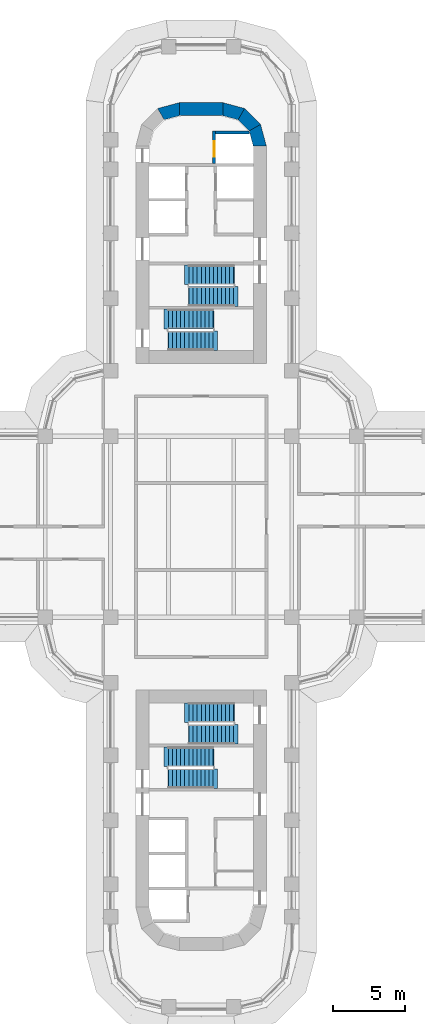
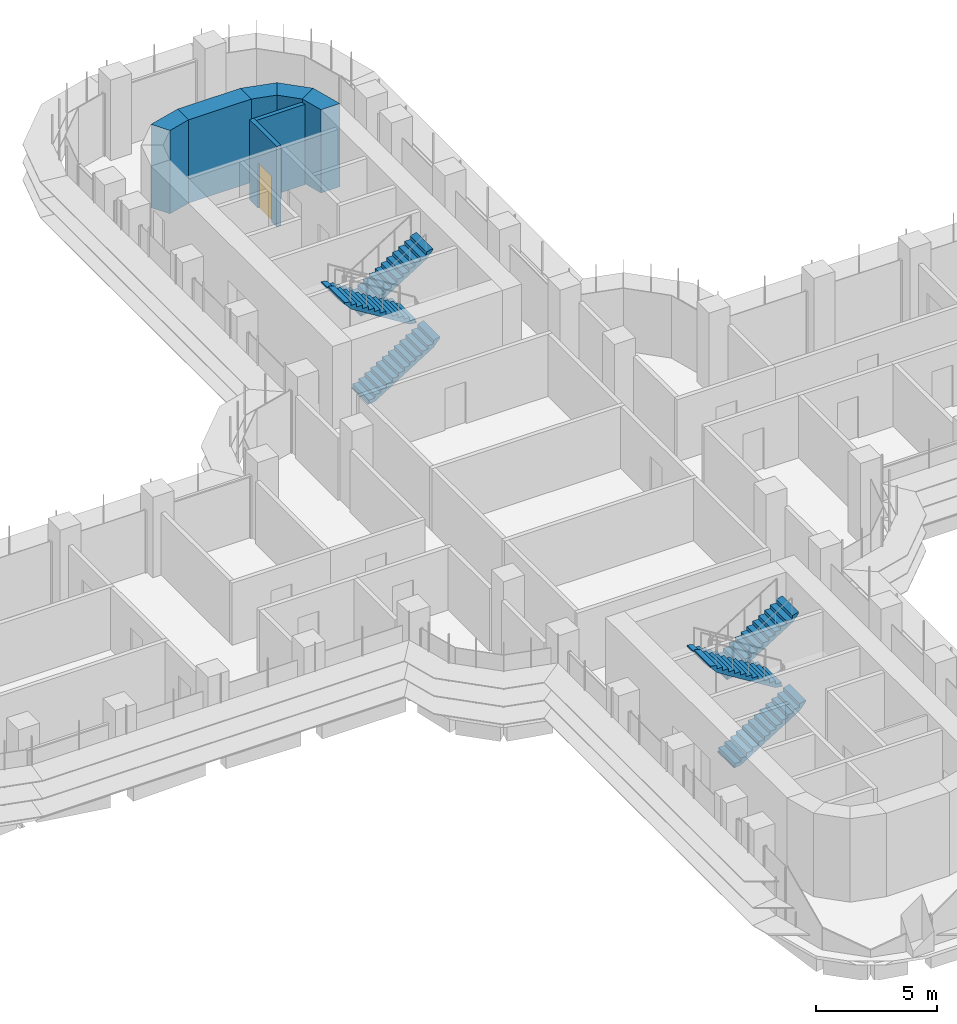
# One storey, part 19 of 23: 8 stair flights, 7 walls, 1 door, 1 opening, 4 elements without a shape of their own.
"""IFC4 building model written with IfcOpenShell, lengths in metres."""

from ifc_helpers import new_model, si_unit, direction, frame, frame_2d, origin, place, context, subcontext, project, spatial, polyline, rectangle, outline, extrude, material, layer, layer_set, type_object, element, fill, aggregate, save


model = new_model("IFC4")

# Units and contexts
model_context = context("Model", 3, precision=1e-05, world=origin(), true_north=direction((0.0, 1.0)))
body_context = subcontext(model_context, "Body", "Model", "MODEL_VIEW")
ifc_project = project(units=[si_unit("LENGTHUNIT", "METRE"), si_unit("AREAUNIT", "SQUARE_METRE"), si_unit("VOLUMEUNIT", "CUBIC_METRE"), si_unit("PLANEANGLEUNIT", "RADIAN"), si_unit("MASSUNIT", "GRAM", prefix="KILO")], contexts=[model_context])

# Site, building, storey
site_placement = place(None, origin())
site = spatial("IfcSite", under=ifc_project, at=site_placement, CompositionType="ELEMENT")
building_placement = place(site_placement, origin())
building = spatial("IfcBuilding", under=site, at=building_placement, Name="Zarbagh Exchange Tower", CompositionType="ELEMENT")
storey_placement = place(building_placement, frame((0.0, 0.0, 31.199951171875)))
storey = spatial("IfcBuildingStorey", under=building, at=storey_placement, Name="L06", CompositionType="ELEMENT", Elevation=31.199951171875)

# Walls
ifc_material_1 = material(Name="Concrete C60/75", Category="concrete")
ifc_layer_1 = layer(ifc_material_1, 0.89990234375)
ifc_layer_set_1 = layer_set([ifc_layer_1], Name="RC core corner wall 900 C60/75")
wall_type_1 = type_object("IfcWallType", Name="RC core corner wall 900 C60/75", PredefinedType="SHEAR", material=ifc_layer_set_1)
wall_1_placement = place(storey_placement, origin())
element("IfcWall", 1, at=wall_1_placement, inside=storey, type_object=wall_type_1, Name="CW2 core N corner W", PredefinedType="SHEAR", context=body_context, shape_type="SweptSolid", body=[
    extrude(outline(polyline([(-3.0, 28.84814453125), (-1.5, 29.25), (-1.5, 28.35009765625), (-2.550048828125, 28.068603515625), (-3.0, 28.84814453125)])), origin(), (0.0, 0.0, 1.0), 4.199951171875),
])
wall_2_placement = place(storey_placement, origin())
element("IfcWall", 2, at=wall_2_placement, inside=storey, type_object=wall_type_1, Name="CW2 core N corner E", PredefinedType="SHEAR", context=body_context, shape_type="SweptSolid", body=[
    extrude(outline(polyline([(4.5, 26.25), (4.09814453125, 27.75), (3.318603515625, 27.300048828125), (3.60009765625, 26.25), (4.5, 26.25)])), origin(), (0.0, 0.0, 1.0), 4.199951171875),
])
wall_3_placement = place(storey_placement, origin())
element("IfcWall", 3, at=wall_3_placement, inside=storey, type_object=wall_type_1, Name="CW2 core N corner E", PredefinedType="SHEAR", context=body_context, shape_type="SweptSolid", body=[
    extrude(outline(polyline([(4.09814453125, 27.75), (3.0, 28.84814453125), (2.550048828125, 28.068603515625), (3.318603515625, 27.300048828125), (4.09814453125, 27.75)])), origin(), (0.0, 0.0, 1.0), 4.199951171875),
])
wall_4_placement = place(storey_placement, origin())
element("IfcWall", 4, at=wall_4_placement, inside=storey, type_object=wall_type_1, Name="CW2 core N corner E", PredefinedType="SHEAR", context=body_context, shape_type="SweptSolid", body=[
    extrude(outline(polyline([(3.0, 28.84814453125), (1.5, 29.25), (1.5, 28.35009765625), (2.550048828125, 28.068603515625), (3.0, 28.84814453125)])), origin(), (0.0, 0.0, 1.0), 4.199951171875),
])
ifc_layer_2 = layer(ifc_material_1, 0.89990234375)
ifc_layer_set_2 = layer_set([ifc_layer_2], Name="RC core wall 900 C60/75")
wall_type_2 = type_object("IfcWallType", Name="RC core wall 900 C60/75", PredefinedType="SHEAR", material=ifc_layer_set_2)
wall_5_placement = place(storey_placement, frame((-1.5, 28.800048828125, 0.0), z_axis=(0.0, 0.0, 1.0), x_axis=(1.0, 0.0, 0.0)))
element("IfcWall", 5, at=wall_5_placement, inside=storey, type_object=wall_type_2, Name="CW1 core N outer end", PredefinedType="SHEAR", context=body_context, shape_type="SweptSolid", body=[
    extrude(rectangle(XDim=3.0, YDim=0.89990234375, at=frame_2d((1.5, 0.0))), origin(), (0.0, 0.0, 1.0), 4.199951171875),
])

# Wall, opening, door
ifc_material_2 = material(Name="Concrete C40/50", Category="concrete")
ifc_layer_3 = layer(ifc_material_2, 0.199951171875)
ifc_layer_set_3 = layer_set([ifc_layer_3], Name="Stair enclosure wall 200 mm RC C40/50")
wall_type_3 = type_object("IfcWallType", Name="Stair enclosure wall 200 mm RC C40/50", PredefinedType="SHEAR", material=ifc_layer_set_3)
wall_6_placement = place(storey_placement, frame((0.89990234375, 27.300048828125, 0.0), z_axis=(0.0, 0.0, 1.0), x_axis=(0.0, -1.0, 0.0)))
wall_6 = element("IfcWall", 6, at=wall_6_placement, inside=storey, type_object=wall_type_3, Name="North core lift shaft wall FFL", PredefinedType="SHEAR", context=body_context, shape_type="SweptSolid", body=[
    extrude(rectangle(XDim=2.25, YDim=0.199951171875, at=frame_2d((1.125, 0.0))), origin(), (0.0, 0.0, 1.0), 4.050048828125),
])
opening_placement = place(wall_6_placement, frame((0.699951171875, 0.0, 0.0)))
opening = element("IfcOpeningElement", 7, at=opening_placement, cuts=wall_6, Name="Opening LD-1100", PredefinedType="OPENING", context=body_context, shape_type="SweptSolid", body=[
    extrude(rectangle(XDim=1.10009765625, YDim=2.300048828125, at=frame_2d((0.550048828125, 1.14990234375))), frame((0.0, 0.10986328125, 0.0), z_axis=(0.0, -1.0, 0.0), x_axis=(1.0, 0.0, 0.0)), (0.0, 0.0, 1.0), 0.219970703125),
])
ifc_material_3 = material(Name="Stainless steel", Category="steel")
door_type = type_object("IfcDoorType", Name="Lift landing door 1100 x 2300", OperationType="NOTDEFINED", PredefinedType="DOOR", material=ifc_material_3)
door_placement = place(opening_placement, origin())
door = element("IfcDoor", 8, at=door_placement, inside=storey, type_object=door_type, Name="North core lift landing door LD-F", OperationType="DOUBLE_DOOR_SLIDING", OverallHeight=2.300048828125, OverallWidth=1.10009765625, PredefinedType="DOOR", context=body_context, shape_type="SweptSolid", body=[
    extrude(rectangle(XDim=1.10009765625, YDim=2.300048828125, at=frame_2d((0.550048828125, 1.14990234375))), frame((0.0, 0.02490234375, 0.0), z_axis=(0.0, -1.0, 0.0), x_axis=(1.0, 0.0, 0.0)), (0.0, 0.0, 1.0), 0.050048828125),
])
fill(opening, door)

# Wall
wall_7_placement = place(storey_placement, origin())
element("IfcWall", 9, at=wall_7_placement, inside=storey, type_object=wall_type_3, Name="North core lift shaft wall FFX", PredefinedType="SHEAR", context=body_context, shape_type="SweptSolid", body=[
    extrude(outline(polyline([(1.0, 27.10009765625), (3.340576171875, 27.10009765625), (3.291259765625, 27.2841796875), (3.275390625, 27.300048828125), (1.0, 27.300048828125), (1.0, 27.10009765625)])), origin(), (0.0, 0.0, 1.0), 4.050048828125),
])

# Stair, stair flights
stair_type = type_object("IfcStairType", Name="Exit stair two-flight half-turn", PredefinedType="HALF_TURN_STAIR", material=ifc_material_2)
stair_1_placement = place(storey_placement, origin())
stair_1 = element("IfcStair", 10, at=stair_1_placement, inside=storey, type_object=stair_type, Name="exit stair ST1", PredefinedType="HALF_TURN_STAIR")
stair_flight_type = type_object("IfcStairFlightType", Name="Stair flight 1350 mm", PredefinedType="STRAIGHT", material=ifc_material_2)
stair_flight_1_placement = place(storey_placement, frame((2.25, 17.375, 0.0), z_axis=(0.0, 0.0, 1.0), x_axis=(-1.0, 0.0, 0.0)))
stair_flight_1 = element("IfcStairFlight", 11, at=stair_flight_1_placement, type_object=stair_flight_type, Name="ST1 flight 1", NumberOfRisers=12, NumberOfTreads=11, PredefinedType="STRAIGHT", RiserHeight=0.175, TreadLength=0.28, context=body_context, shape_type="SweptSolid", body=[
    extrude(outline(polyline([(-0.050048828125, -0.050048828125), (-0.050048828125, 0.0), (0.0, 0.0), (0.0, 0.175048828125), (0.280029296875, 0.175048828125), (0.280029296875, 0.35009765625), (0.56005859375, 0.35009765625), (0.56005859375, 0.52490234375), (0.840087890625, 0.52490234375), (0.840087890625, 0.699951171875), (1.1201171875, 0.699951171875), (1.1201171875, 0.875), (1.39990234375, 0.875), (1.39990234375, 1.050048828125), (1.679931640625, 1.050048828125), (1.679931640625, 1.22509765625), (1.9599609375, 1.22509765625), (1.9599609375, 1.39990234375), (2.239990234375, 1.39990234375), (2.239990234375, 1.574951171875), (2.52001953125, 1.574951171875), (2.52001953125, 1.75), (2.800048828125, 1.75), (2.800048828125, 1.925048828125), (3.080078125, 1.925048828125), (3.080078125, 2.10009765625), (3.3798828125, 2.179931640625), (3.3798828125, 2.10009765625), (3.080078125, 1.748291015625), (0.28271484375, 0.0), (-0.050048828125, -0.050048828125)])), frame((0.0, 0.675048828125, 0.0), z_axis=(0.0, -1.0, 0.0), x_axis=(1.0, 0.0, 0.0)), (0.0, 0.0, 1.0), 1.35009765625),
])
stair_flight_2_placement = place(storey_placement, frame((-0.830078125, 15.875, 2.10009765625), z_axis=(0.0, 0.0, 1.0), x_axis=(1.0, 0.0, 0.0)))
stair_flight_2 = element("IfcStairFlight", 12, at=stair_flight_2_placement, type_object=stair_flight_type, Name="ST1 flight 2", NumberOfRisers=12, NumberOfTreads=11, PredefinedType="STRAIGHT", RiserHeight=0.175, TreadLength=0.28, context=body_context, shape_type="SweptSolid", body=[
    extrude(outline(polyline([(-0.050048828125, -0.050048828125), (-0.050048828125, 0.0), (0.0, 0.0), (0.0, 0.175048828125), (0.280029296875, 0.175048828125), (0.280029296875, 0.35009765625), (0.56005859375, 0.35009765625), (0.56005859375, 0.52490234375), (0.840087890625, 0.52490234375), (0.840087890625, 0.699951171875), (1.1201171875, 0.699951171875), (1.1201171875, 0.875), (1.39990234375, 0.875), (1.39990234375, 1.050048828125), (1.679931640625, 1.050048828125), (1.679931640625, 1.22509765625), (1.9599609375, 1.22509765625), (1.9599609375, 1.39990234375), (2.239990234375, 1.39990234375), (2.239990234375, 1.574951171875), (2.52001953125, 1.574951171875), (2.52001953125, 1.75), (2.800048828125, 1.75), (2.800048828125, 1.925048828125), (3.080078125, 1.925048828125), (3.080078125, 2.10009765625), (3.3798828125, 2.179931640625), (3.3798828125, 2.10009765625), (3.080078125, 1.748291015625), (0.28271484375, 0.0), (-0.050048828125, -0.050048828125)])), frame((0.0, 0.675048828125, 0.0), z_axis=(0.0, -1.0, 0.0), x_axis=(1.0, 0.0, 0.0)), (0.0, 0.0, 1.0), 1.35009765625),
])
aggregate(stair_1, [stair_flight_1, stair_flight_2])

stair_2_placement = place(storey_placement, origin())
stair_2 = element("IfcStair", 13, at=stair_2_placement, inside=storey, type_object=stair_type, Name="exit stair ST2", PredefinedType="HALF_TURN_STAIR")
stair_flight_3_placement = place(storey_placement, frame((-2.25, 12.824951171875, 0.0), z_axis=(0.0, 0.0, 1.0), x_axis=(1.0, 0.0, 0.0)))
stair_flight_3 = element("IfcStairFlight", 14, at=stair_flight_3_placement, type_object=stair_flight_type, Name="ST2 flight 1", NumberOfRisers=12, NumberOfTreads=11, PredefinedType="STRAIGHT", RiserHeight=0.175, TreadLength=0.28, context=body_context, shape_type="SweptSolid", body=[
    extrude(outline(polyline([(-0.050048828125, -0.050048828125), (-0.050048828125, 0.0), (0.0, 0.0), (0.0, 0.175048828125), (0.280029296875, 0.175048828125), (0.280029296875, 0.35009765625), (0.56005859375, 0.35009765625), (0.56005859375, 0.52490234375), (0.840087890625, 0.52490234375), (0.840087890625, 0.699951171875), (1.1201171875, 0.699951171875), (1.1201171875, 0.875), (1.39990234375, 0.875), (1.39990234375, 1.050048828125), (1.679931640625, 1.050048828125), (1.679931640625, 1.22509765625), (1.9599609375, 1.22509765625), (1.9599609375, 1.39990234375), (2.239990234375, 1.39990234375), (2.239990234375, 1.574951171875), (2.52001953125, 1.574951171875), (2.52001953125, 1.75), (2.800048828125, 1.75), (2.800048828125, 1.925048828125), (3.080078125, 1.925048828125), (3.080078125, 2.10009765625), (3.3798828125, 2.179931640625), (3.3798828125, 2.10009765625), (3.080078125, 1.748291015625), (0.28271484375, 0.0), (-0.050048828125, -0.050048828125)])), frame((0.0, 0.675048828125, 0.0), z_axis=(0.0, -1.0, 0.0), x_axis=(1.0, 0.0, 0.0)), (0.0, 0.0, 1.0), 1.35009765625),
])
stair_flight_4_placement = place(storey_placement, frame((0.830078125, 14.324951171875, 2.10009765625), z_axis=(0.0, 0.0, 1.0), x_axis=(-1.0, 0.0, 0.0)))
stair_flight_4 = element("IfcStairFlight", 15, at=stair_flight_4_placement, type_object=stair_flight_type, Name="ST2 flight 2", NumberOfRisers=12, NumberOfTreads=11, PredefinedType="STRAIGHT", RiserHeight=0.175, TreadLength=0.28, context=body_context, shape_type="SweptSolid", body=[
    extrude(outline(polyline([(-0.050048828125, -0.050048828125), (-0.050048828125, 0.0), (0.0, 0.0), (0.0, 0.175048828125), (0.280029296875, 0.175048828125), (0.280029296875, 0.35009765625), (0.56005859375, 0.35009765625), (0.56005859375, 0.52490234375), (0.840087890625, 0.52490234375), (0.840087890625, 0.699951171875), (1.1201171875, 0.699951171875), (1.1201171875, 0.875), (1.39990234375, 0.875), (1.39990234375, 1.050048828125), (1.679931640625, 1.050048828125), (1.679931640625, 1.22509765625), (1.9599609375, 1.22509765625), (1.9599609375, 1.39990234375), (2.239990234375, 1.39990234375), (2.239990234375, 1.574951171875), (2.52001953125, 1.574951171875), (2.52001953125, 1.75), (2.800048828125, 1.75), (2.800048828125, 1.925048828125), (3.080078125, 1.925048828125), (3.080078125, 2.10009765625), (3.3798828125, 2.179931640625), (3.3798828125, 2.10009765625), (3.080078125, 1.748291015625), (0.28271484375, 0.0), (-0.050048828125, -0.050048828125)])), frame((0.0, 0.675048828125, 0.0), z_axis=(0.0, -1.0, 0.0), x_axis=(1.0, 0.0, 0.0)), (0.0, 0.0, 1.0), 1.35009765625),
])
aggregate(stair_2, [stair_flight_3, stair_flight_4])

stair_3_placement = place(storey_placement, origin())
stair_3 = element("IfcStair", 16, at=stair_3_placement, inside=storey, type_object=stair_type, Name="exit stair ST3", PredefinedType="HALF_TURN_STAIR")
stair_flight_5_placement = place(storey_placement, frame((-2.25, -17.375, 0.0), z_axis=(0.0, 0.0, 1.0), x_axis=(1.0, 0.0, 0.0)))
stair_flight_5 = element("IfcStairFlight", 17, at=stair_flight_5_placement, type_object=stair_flight_type, Name="ST3 flight 1", NumberOfRisers=12, NumberOfTreads=11, PredefinedType="STRAIGHT", RiserHeight=0.175, TreadLength=0.28, context=body_context, shape_type="SweptSolid", body=[
    extrude(outline(polyline([(-0.050048828125, -0.050048828125), (-0.050048828125, 0.0), (0.0, 0.0), (0.0, 0.175048828125), (0.280029296875, 0.175048828125), (0.280029296875, 0.35009765625), (0.56005859375, 0.35009765625), (0.56005859375, 0.52490234375), (0.840087890625, 0.52490234375), (0.840087890625, 0.699951171875), (1.1201171875, 0.699951171875), (1.1201171875, 0.875), (1.39990234375, 0.875), (1.39990234375, 1.050048828125), (1.679931640625, 1.050048828125), (1.679931640625, 1.22509765625), (1.9599609375, 1.22509765625), (1.9599609375, 1.39990234375), (2.239990234375, 1.39990234375), (2.239990234375, 1.574951171875), (2.52001953125, 1.574951171875), (2.52001953125, 1.75), (2.800048828125, 1.75), (2.800048828125, 1.925048828125), (3.080078125, 1.925048828125), (3.080078125, 2.10009765625), (3.3798828125, 2.179931640625), (3.3798828125, 2.10009765625), (3.080078125, 1.748291015625), (0.28271484375, 0.0), (-0.050048828125, -0.050048828125)])), frame((0.0, 0.675048828125, 0.0), z_axis=(0.0, -1.0, 0.0), x_axis=(1.0, 0.0, 0.0)), (0.0, 0.0, 1.0), 1.35009765625),
])
stair_flight_6_placement = place(storey_placement, frame((0.830078125, -15.875, 2.10009765625), z_axis=(0.0, 0.0, 1.0), x_axis=(-1.0, 0.0, 0.0)))
stair_flight_6 = element("IfcStairFlight", 18, at=stair_flight_6_placement, type_object=stair_flight_type, Name="ST3 flight 2", NumberOfRisers=12, NumberOfTreads=11, PredefinedType="STRAIGHT", RiserHeight=0.175, TreadLength=0.28, context=body_context, shape_type="SweptSolid", body=[
    extrude(outline(polyline([(-0.050048828125, -0.050048828125), (-0.050048828125, 0.0), (0.0, 0.0), (0.0, 0.175048828125), (0.280029296875, 0.175048828125), (0.280029296875, 0.35009765625), (0.56005859375, 0.35009765625), (0.56005859375, 0.52490234375), (0.840087890625, 0.52490234375), (0.840087890625, 0.699951171875), (1.1201171875, 0.699951171875), (1.1201171875, 0.875), (1.39990234375, 0.875), (1.39990234375, 1.050048828125), (1.679931640625, 1.050048828125), (1.679931640625, 1.22509765625), (1.9599609375, 1.22509765625), (1.9599609375, 1.39990234375), (2.239990234375, 1.39990234375), (2.239990234375, 1.574951171875), (2.52001953125, 1.574951171875), (2.52001953125, 1.75), (2.800048828125, 1.75), (2.800048828125, 1.925048828125), (3.080078125, 1.925048828125), (3.080078125, 2.10009765625), (3.3798828125, 2.179931640625), (3.3798828125, 2.10009765625), (3.080078125, 1.748291015625), (0.28271484375, 0.0), (-0.050048828125, -0.050048828125)])), frame((0.0, 0.675048828125, 0.0), z_axis=(0.0, -1.0, 0.0), x_axis=(1.0, 0.0, 0.0)), (0.0, 0.0, 1.0), 1.35009765625),
])
aggregate(stair_3, [stair_flight_5, stair_flight_6])

stair_4_placement = place(storey_placement, origin())
stair_4 = element("IfcStair", 19, at=stair_4_placement, inside=storey, type_object=stair_type, Name="exit stair ST4", PredefinedType="HALF_TURN_STAIR")
stair_flight_7_placement = place(storey_placement, frame((2.25, -12.824951171875, 0.0), z_axis=(0.0, 0.0, 1.0), x_axis=(-1.0, 0.0, 0.0)))
stair_flight_7 = element("IfcStairFlight", 20, at=stair_flight_7_placement, type_object=stair_flight_type, Name="ST4 flight 1", NumberOfRisers=12, NumberOfTreads=11, PredefinedType="STRAIGHT", RiserHeight=0.175, TreadLength=0.28, context=body_context, shape_type="SweptSolid", body=[
    extrude(outline(polyline([(-0.050048828125, -0.050048828125), (-0.050048828125, 0.0), (0.0, 0.0), (0.0, 0.175048828125), (0.280029296875, 0.175048828125), (0.280029296875, 0.35009765625), (0.56005859375, 0.35009765625), (0.56005859375, 0.52490234375), (0.840087890625, 0.52490234375), (0.840087890625, 0.699951171875), (1.1201171875, 0.699951171875), (1.1201171875, 0.875), (1.39990234375, 0.875), (1.39990234375, 1.050048828125), (1.679931640625, 1.050048828125), (1.679931640625, 1.22509765625), (1.9599609375, 1.22509765625), (1.9599609375, 1.39990234375), (2.239990234375, 1.39990234375), (2.239990234375, 1.574951171875), (2.52001953125, 1.574951171875), (2.52001953125, 1.75), (2.800048828125, 1.75), (2.800048828125, 1.925048828125), (3.080078125, 1.925048828125), (3.080078125, 2.10009765625), (3.3798828125, 2.179931640625), (3.3798828125, 2.10009765625), (3.080078125, 1.748291015625), (0.28271484375, 0.0), (-0.050048828125, -0.050048828125)])), frame((0.0, 0.675048828125, 0.0), z_axis=(0.0, -1.0, 0.0), x_axis=(1.0, 0.0, 0.0)), (0.0, 0.0, 1.0), 1.35009765625),
])
stair_flight_8_placement = place(storey_placement, frame((-0.830078125, -14.324951171875, 2.10009765625), z_axis=(0.0, 0.0, 1.0), x_axis=(1.0, 0.0, 0.0)))
stair_flight_8 = element("IfcStairFlight", 21, at=stair_flight_8_placement, type_object=stair_flight_type, Name="ST4 flight 2", NumberOfRisers=12, NumberOfTreads=11, PredefinedType="STRAIGHT", RiserHeight=0.175, TreadLength=0.28, context=body_context, shape_type="SweptSolid", body=[
    extrude(outline(polyline([(-0.050048828125, -0.050048828125), (-0.050048828125, 0.0), (0.0, 0.0), (0.0, 0.175048828125), (0.280029296875, 0.175048828125), (0.280029296875, 0.35009765625), (0.56005859375, 0.35009765625), (0.56005859375, 0.52490234375), (0.840087890625, 0.52490234375), (0.840087890625, 0.699951171875), (1.1201171875, 0.699951171875), (1.1201171875, 0.875), (1.39990234375, 0.875), (1.39990234375, 1.050048828125), (1.679931640625, 1.050048828125), (1.679931640625, 1.22509765625), (1.9599609375, 1.22509765625), (1.9599609375, 1.39990234375), (2.239990234375, 1.39990234375), (2.239990234375, 1.574951171875), (2.52001953125, 1.574951171875), (2.52001953125, 1.75), (2.800048828125, 1.75), (2.800048828125, 1.925048828125), (3.080078125, 1.925048828125), (3.080078125, 2.10009765625), (3.3798828125, 2.179931640625), (3.3798828125, 2.10009765625), (3.080078125, 1.748291015625), (0.28271484375, 0.0), (-0.050048828125, -0.050048828125)])), frame((0.0, 0.675048828125, 0.0), z_axis=(0.0, -1.0, 0.0), x_axis=(1.0, 0.0, 0.0)), (0.0, 0.0, 1.0), 1.35009765625),
])
aggregate(stair_4, [stair_flight_7, stair_flight_8])

save(model, "model.ifc")
